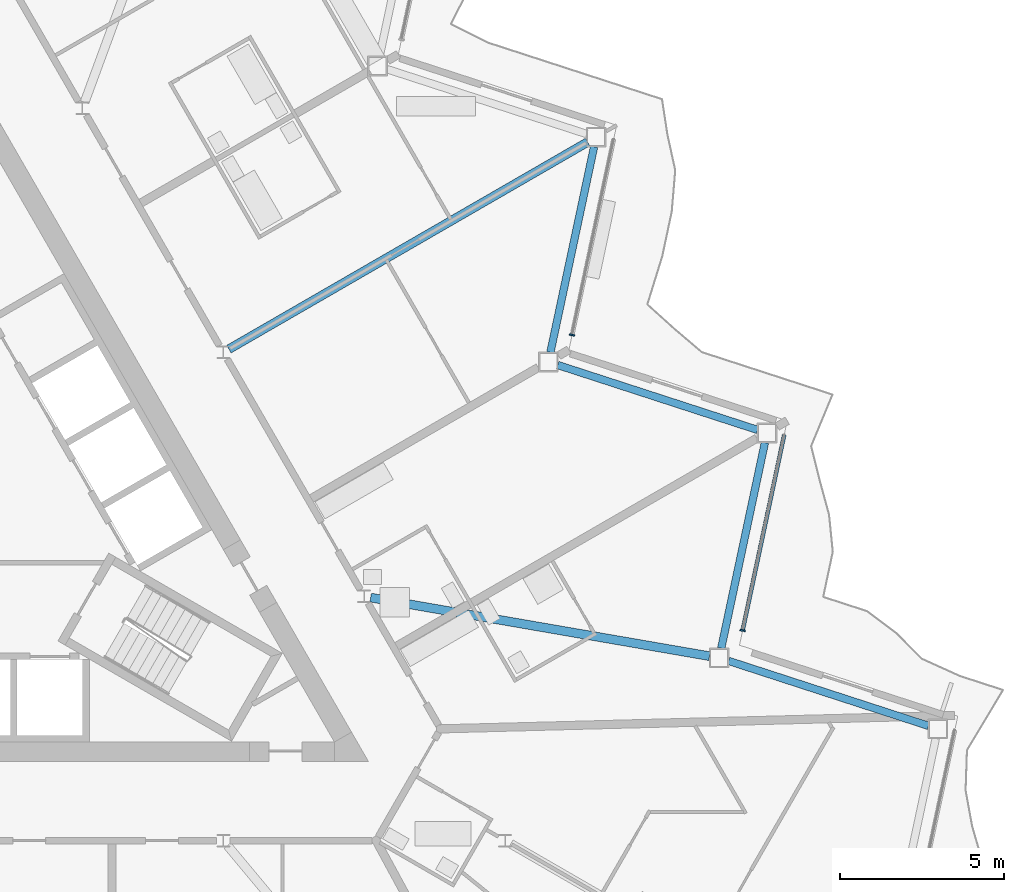
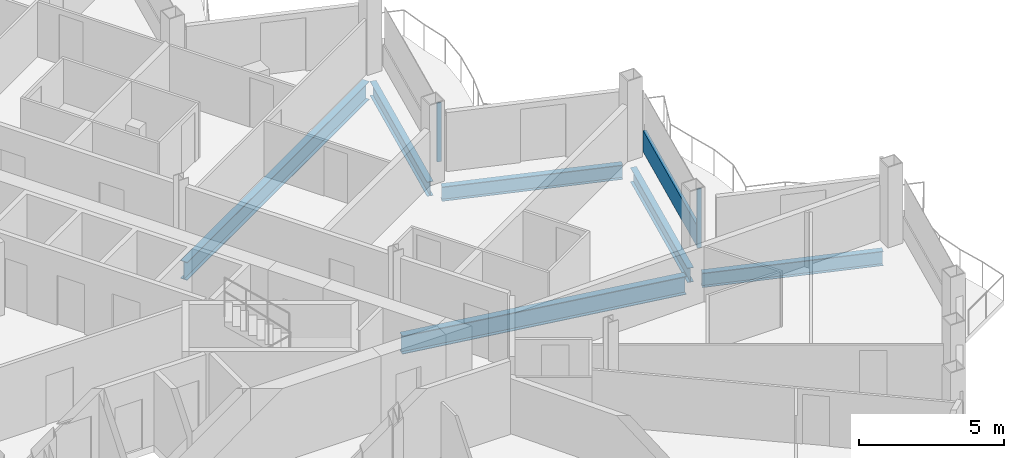
# One storey, part 9 of 28: 6 beams, 3 members, 2 elements without a shape of their own.
"""IFC4 building model written with IfcOpenShell, lengths in metres."""

from ifc_helpers import new_model, si_unit, direction, frame, origin, origin_2d, place, context, subcontext, project, spatial, rectangle, i_section, extrude, material, layer, layer_set, material_profile, profile_set, type_object, element, aggregate, save


model = new_model("IFC4")

# Units and contexts
model_context = context("Model", 3, precision=1e-05, world=origin(), true_north=direction((0.0, 1.0)))
body_context = subcontext(model_context, "Body", "Model", "MODEL_VIEW")
ifc_project = project(units=[si_unit("LENGTHUNIT", "METRE"), si_unit("AREAUNIT", "SQUARE_METRE"), si_unit("VOLUMEUNIT", "CUBIC_METRE"), si_unit("PLANEANGLEUNIT", "RADIAN"), si_unit("MASSUNIT", "GRAM", prefix="KILO")], contexts=[model_context])

# Site, building, storey
site_placement = place(None, origin())
site = spatial("IfcSite", under=ifc_project, at=site_placement, CompositionType="ELEMENT")
building_placement = place(site_placement, origin())
building = spatial("IfcBuilding", under=site, at=building_placement, Name="Cormorant Prow Tower", CompositionType="ELEMENT")
storey_placement = place(building_placement, frame((0.0, 0.0, 305.199951171875)))
storey = spatial("IfcBuildingStorey", under=building, at=storey_placement, Name="L66", CompositionType="ELEMENT", Elevation=305.199951171875)

# Beams
ifc_material_1 = material(Name="Structural steel ASTM A992 Gr 50", Category="steel")
ifc_material_profile_1 = material_profile(ifc_material_1, i_section(OverallWidth=0.267822265625, OverallDepth=0.77001953125, WebThickness=0.015625, FlangeThickness=0.025390625, at=origin_2d()), Name="W30x132")
ifc_profile_set_1 = profile_set([ifc_material_profile_1], Name="Structural steel ASTM A992 Gr 50")
beam_type_1 = type_object("IfcBeamType", Name="Radial floor beam W30x132", PredefinedType="BEAM", material=ifc_profile_set_1)
beam_1_placement = place(storey_placement, frame((13.0625, -2.510009765625, -0.684814453125), z_axis=(0.985379592304, -0.170373293304, 0.0), x_axis=(0.170373293304, 0.985379592304, 0.0)))
element("IfcBeam", 1, at=beam_1_placement, inside=storey, type_object=beam_type_1, Name="Radial floor beam FB3 10 L66", PredefinedType="BEAM", context=body_context, shape_type="SweptSolid", body=[
    extrude(i_section(OverallWidth=0.267822265625, OverallDepth=0.77001953125, WebThickness=0.015625, FlangeThickness=0.025390625, at=origin_2d()), origin(), (0.0, 0.0, 1.0), 10.465087890625),
])
beam_2_placement = place(storey_placement, frame((8.749755859375, 5.051513671875, -0.684814453125), z_axis=(0.866021086443, 0.50000747778, 0.0), x_axis=(-0.50000747778, 0.866021086443, 0.0)))
element("IfcBeam", 2, at=beam_2_placement, inside=storey, type_object=beam_type_1, Name="Radial floor beam FB3 11 L66", PredefinedType="BEAM", context=body_context, shape_type="SweptSolid", body=[
    extrude(i_section(OverallWidth=0.267822265625, OverallDepth=0.77001953125, WebThickness=0.015625, FlangeThickness=0.025390625, at=origin_2d()), origin(), (0.0, 0.0, 1.0), 12.604736328125),
])

# Curtain wall, member
ifc_material_2 = material(Name="Aluminium 6063-T6", Category="aluminium")
ifc_layer = layer(ifc_material_2, 0.159912109375)
ifc_layer_set = layer_set([ifc_layer], Name="Aluminium 6063-T6")
curtain_wall_type = type_object("IfcCurtainWallType", Name="Residential unitised curtain wall 160", PredefinedType="NOTDEFINED", material=ifc_layer_set)
curtain_wall_1_placement = place(storey_placement, origin())
curtain_wall_1 = element("IfcCurtainWall", 3, at=curtain_wall_1_placement, inside=storey, type_object=curtain_wall_type, Name="Residential curtain wall ENE02", PredefinedType="NOTDEFINED")
ifc_material_3 = material(Name="Aluminium 6063-T6", Category="aluminium")
ifc_material_profile_2 = material_profile(ifc_material_3, rectangle(XDim=0.159912109375, YDim=0.050048828125, at=origin_2d()), Name="Residential mullion 50x160")
ifc_profile_set_2 = profile_set([ifc_material_profile_2], Name="Aluminium 6063-T6")
member_type_1 = type_object("IfcMemberType", Name="Residential mullion 50x160", PredefinedType="MULLION", material=ifc_profile_set_2)
member_1_placement = place(storey_placement, frame((24.384033203125, -3.510009765625, 0.0), z_axis=(0.0, 0.0, 1.0), x_axis=(-0.978147600523, 0.207911691808, 0.0)))
member_1 = element("IfcMember", 4, at=member_1_placement, type_object=member_type_1, Name="Residential mullion ENE02", PredefinedType="MULLION", context=body_context, shape_type="SweptSolid", body=[
    extrude(rectangle(XDim=0.159912109375, YDim=0.050048828125, at=origin_2d()), origin(), (0.0, 0.0, 1.0), 2.488037109375),
])

curtain_wall_2_placement = place(storey_placement, origin())
curtain_wall_2 = element("IfcCurtainWall", 5, at=curtain_wall_2_placement, inside=storey, type_object=curtain_wall_type, Name="Residential curtain wall ENE04", PredefinedType="NOTDEFINED")
member_2_placement = place(storey_placement, frame((19.19287109375, 5.48095703125, 0.0), z_axis=(0.0, 0.0, 1.0), x_axis=(-0.978147600523, 0.207911691808, 0.0)))
member_2 = element("IfcMember", 6, at=member_2_placement, type_object=member_type_1, Name="Residential mullion ENE04", PredefinedType="MULLION", context=body_context, shape_type="SweptSolid", body=[
    extrude(rectangle(XDim=0.159912109375, YDim=0.050048828125, at=origin_2d()), origin(), (0.0, 0.0, 1.0), 2.488037109375),
])
aggregate(curtain_wall_2, [member_2])

# Member
ifc_material_4 = material(Name="Terracotta", Category="masonry")
ifc_material_profile_3 = material_profile(ifc_material_4, rectangle(XDim=0.1201171875, YDim=0.89990234375, at=origin_2d()), Name="Residential terracotta spandrel rail 120x900")
ifc_profile_set_3 = profile_set([ifc_material_profile_3], Name="Terracotta")
member_type_2 = type_object("IfcMemberType", Name="Residential terracotta spandrel rail 120x900", PredefinedType="USERDEFINED", material=ifc_profile_set_3)
member_3_placement = place(storey_placement, frame((24.38916015625, -3.485595703125, 0.449951171875), z_axis=(0.207918432162, 0.978146167793, 0.0), x_axis=(-0.978146167793, 0.207918432162, 0.0)))
member_3 = element("IfcMember", 7, at=member_3_placement, type_object=member_type_2, Name="Residential spandrel rail ENE02", ObjectType="TRANSOM", PredefinedType="USERDEFINED", context=body_context, shape_type="SweptSolid", body=[
    extrude(rectangle(XDim=0.1201171875, YDim=0.89990234375, at=origin_2d()), origin(), (0.0, 0.0, 1.0), 6.067138671875),
])

aggregate(curtain_wall_1, [member_1, member_3])

# Beams
ifc_material_5 = material(Name="Structural steel ASTM A992 Gr 50", Category="steel")
ifc_material_profile_4 = material_profile(ifc_material_5, i_section(OverallWidth=0.22900390625, OverallDepth=0.612060546875, WebThickness=0.011962890625, FlangeThickness=0.01953125, at=origin_2d()), Name="W24x84")
ifc_profile_set_4 = profile_set([ifc_material_profile_4], Name="Structural steel ASTM A992 Gr 50")
beam_type_2 = type_object("IfcBeamType", Name="Spandrel beam W24x84", PredefinedType="SPANDREL", material=ifc_profile_set_4)
beam_3_placement = place(storey_placement, frame((30.038330078125, -6.413330078125, -0.60595703125), z_axis=(-0.951064359156, 0.308992855489, 0.0), x_axis=(-0.308992855489, -0.951064359156, 0.0)))
element("IfcBeam", 8, at=beam_3_placement, inside=storey, type_object=beam_type_2, Name="Spandrel beam SB3 ENE01-ENE02 L66", PredefinedType="SPANDREL", context=body_context, shape_type="SweptSolid", body=[
    extrude(i_section(OverallWidth=0.22900390625, OverallDepth=0.612060546875, WebThickness=0.011962890625, FlangeThickness=0.01953125, at=origin_2d()), origin(), (0.0, 0.0, 1.0), 6.39599609375),
])
beam_4_placement = place(storey_placement, frame((23.732421875, -4.05078125, -0.60595703125), z_axis=(0.20791262393, 0.978147402394, 0.0), x_axis=(-0.978147402394, 0.20791262393, 0.0)))
element("IfcBeam", 9, at=beam_4_placement, inside=storey, type_object=beam_type_2, Name="Spandrel beam SB3 ENE02-ENE03 L66", PredefinedType="SPANDREL", context=body_context, shape_type="SweptSolid", body=[
    extrude(i_section(OverallWidth=0.22900390625, OverallDepth=0.612060546875, WebThickness=0.011962890625, FlangeThickness=0.01953125, at=origin_2d()), origin(), (0.0, 0.0, 1.0), 6.396240234375),
])
beam_5_placement = place(storey_placement, frame((24.83935546875, 2.591796875, -0.60595703125), z_axis=(-0.951064359156, 0.308992855489, 0.0), x_axis=(-0.308992855489, -0.951064359156, 0.0)))
element("IfcBeam", 10, at=beam_5_placement, inside=storey, type_object=beam_type_2, Name="Spandrel beam SB3 ENE03-ENE04 L66", PredefinedType="SPANDREL", context=body_context, shape_type="SweptSolid", body=[
    extrude(i_section(OverallWidth=0.22900390625, OverallDepth=0.612060546875, WebThickness=0.011962890625, FlangeThickness=0.01953125, at=origin_2d()), origin(), (0.0, 0.0, 1.0), 6.39599609375),
])
beam_6_placement = place(storey_placement, frame((18.533447265625, 4.954345703125, -0.60595703125), z_axis=(0.20791262393, 0.978147402394, 0.0), x_axis=(-0.978147402394, 0.20791262393, 0.0)))
element("IfcBeam", 11, at=beam_6_placement, inside=storey, type_object=beam_type_2, Name="Spandrel beam SB3 ENE04-ENE05 L66", PredefinedType="SPANDREL", context=body_context, shape_type="SweptSolid", body=[
    extrude(i_section(OverallWidth=0.22900390625, OverallDepth=0.612060546875, WebThickness=0.011962890625, FlangeThickness=0.01953125, at=origin_2d()), origin(), (0.0, 0.0, 1.0), 6.396240234375),
])

save(model, "model.ifc")
